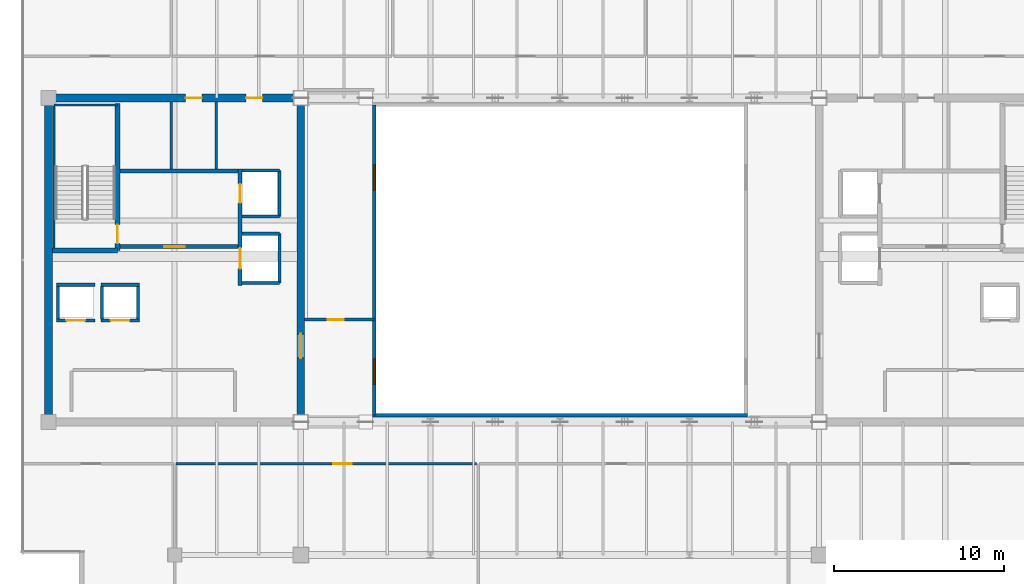
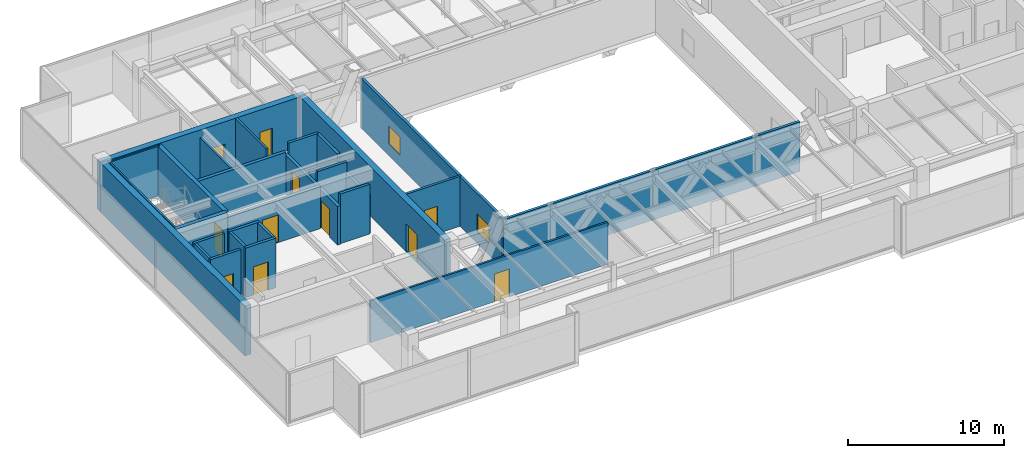
# One storey, part 26 of 32: 29 walls, 11 doors, 2 windows, 13 openings.
"""IFC4 building model written with IfcOpenShell, lengths in metres."""

from ifc_helpers import new_model, si_unit, direction, frame, frame_2d, origin, place, context, subcontext, project, spatial, rectangle, extrude, source, transform, mapped, material, layer, layer_set, type_object, type_shapes, element, fill, save


model = new_model("IFC4")

# Units and contexts
model_context = context("Model", 3, precision=1e-05, world=origin(), true_north=direction((0.0, 1.0)))
body_context = subcontext(model_context, "Body", "Model", "MODEL_VIEW")
ifc_project = project(units=[si_unit("LENGTHUNIT", "METRE"), si_unit("AREAUNIT", "SQUARE_METRE"), si_unit("VOLUMEUNIT", "CUBIC_METRE"), si_unit("PLANEANGLEUNIT", "RADIAN"), si_unit("MASSUNIT", "GRAM", prefix="KILO")], contexts=[model_context])

# Site, building, storey
site_placement = place(None, origin())
site = spatial("IfcSite", under=ifc_project, at=site_placement, CompositionType="ELEMENT")
building_placement = place(site_placement, origin())
building = spatial("IfcBuilding", under=site, at=building_placement, Name="Haelvirn Gate Laboratories", CompositionType="ELEMENT")
storey_placement = place(building_placement, frame((0.0, 0.0, 301.800048828125)))
storey = spatial("IfcBuildingStorey", under=building, at=storey_placement, Name="L72", CompositionType="ELEMENT", Elevation=301.800048828125)

# Wall, opening, door
ifc_material_1 = material(Name="Fire-rated acoustic gypsum board partition", Category="gypsum")
ifc_layer_1 = layer(ifc_material_1, 0.175048828125, Name="IW-ACOUST-180")
ifc_layer_set_1 = layer_set([ifc_layer_1], Name="Fire-rated acoustic gypsum board partition")
wall_type_1 = type_object("IfcWallType", Name="IW-ACOUST-180", PredefinedType="PARTITIONING", material=ifc_layer_set_1)
wall_1_placement = place(storey_placement, frame((22.425048828125, 20.800048828125, 0.0), z_axis=(0.0, 0.0, 1.0), x_axis=(1.0, 0.0, 0.0)))
wall_1 = element("IfcWall", 1, at=wall_1_placement, inside=storey, type_object=wall_type_1, Name="L72 Interior Wall IW-L72-WPOD-S", PredefinedType="PARTITIONING", context=body_context, shape_type="SweptSolid", body=[
    extrude(rectangle(XDim=4.074951171875, YDim=0.175048828125, at=frame_2d((2.03759765625, 0.0))), origin(), (0.0, 0.0, 1.0), 3.89990234375),
])
opening_1_placement = place(wall_1_placement, frame((1.35009765625, 0.0, 0.0)))
opening_1 = element("IfcOpeningElement", 2, at=opening_1_placement, cuts=wall_1, Name="Opening FD4", PredefinedType="OPENING", context=body_context, shape_type="SweptSolid", body=[
    extrude(rectangle(XDim=0.949951171875, YDim=2.14990234375, at=frame_2d((0.47509765625, 1.074951171875))), frame((0.0, 0.09765625, 0.0), z_axis=(0.0, -1.0, 0.0), x_axis=(1.0, 0.0, 0.0)), (0.0, 0.0, 1.0), 0.195068359375),
])
ifc_material_2 = material(Name="Fire-rated steel SM355 core service door", Category="steel")
door_type_1 = type_object("IfcDoorType", Name="DR-FD-950", OperationType="NOTDEFINED", PredefinedType="DOOR", material=ifc_material_2)
shared_shape_1 = source(origin(), body_context, "Body", "SweptSolid", [
    extrude(rectangle(XDim=0.949951171875, YDim=2.14990234375, at=frame_2d((0.47509765625, 1.074951171875))), frame((0.0, 0.02490234375, 0.0), z_axis=(0.0, -1.0, 0.0), x_axis=(1.0, 0.0, 0.0)), (0.0, 0.0, 1.0), 0.050048828125),
])
type_shapes(door_type_1, [shared_shape_1])
door_1_placement = place(opening_1_placement, origin())
door_1 = element("IfcDoor", 3, at=door_1_placement, inside=storey, type_object=door_type_1, Name="L72 High-Zone Computational Suite Door", OperationType="SINGLE_SWING_RIGHT", OverallHeight=2.14990234375, OverallWidth=0.949951171875, PredefinedType="DOOR", context=body_context, shape_type="MappedRepresentation", body=[
    mapped(shared_shape_1, transform((0.0, 0.0, 0.0), scale=1.0)),
])
fill(opening_1, door_1)

# Wall, openings, windows
ifc_material_3 = material(Name="Tempered fire-rated borosilicate glass & anodised aluminium", Category="aluminium")
ifc_layer_2 = layer(ifc_material_3, 0.195068359375, Name="IW-GLAZ-200")
ifc_layer_set_2 = layer_set([ifc_layer_2], Name="Tempered fire-rated borosilicate glass & anodised aluminium")
wall_type_2 = type_object("IfcWallType", Name="IW-GLAZ-200", PredefinedType="SOLIDWALL", material=ifc_layer_set_2)
wall_2_placement = place(storey_placement, frame((26.5, 15.199951171875, 0.0), z_axis=(0.0, 0.0, 1.0), x_axis=(0.0, 1.0, 0.0)))
wall_2 = element("IfcWall", 4, at=wall_2_placement, inside=storey, type_object=wall_type_2, Name="L72 Interior Wall IW-L72-ATRIUM-W", PredefinedType="SOLIDWALL", context=body_context, shape_type="SweptSolid", body=[
    extrude(rectangle(XDim=18.199951171875, YDim=0.195068359375, at=frame_2d((9.10009765625, 0.0))), origin(), (0.0, 0.0, 1.0), 3.89990234375),
])
opening_2_placement = place(wall_2_placement, frame((1.800048828125, 0.0, 0.89990234375)))
opening_2 = element("IfcOpeningElement", 5, at=opening_2_placement, cuts=wall_2, Name="Opening W5", PredefinedType="OPENING", context=body_context, shape_type="SweptSolid", body=[
    extrude(rectangle(XDim=1.5, YDim=1.39990234375, at=frame_2d((0.75, 0.699951171875))), frame((0.0, 0.107421875, 0.0), z_axis=(0.0, -1.0, 0.0), x_axis=(1.0, 0.0, 0.0)), (0.0, 0.0, 1.0), 0.215087890625),
])
opening_3_placement = place(wall_2_placement, frame((13.199951171875, 0.0, 0.89990234375)))
opening_3 = element("IfcOpeningElement", 6, at=opening_3_placement, cuts=wall_2, Name="Opening W5", PredefinedType="OPENING", context=body_context, shape_type="SweptSolid", body=[
    extrude(rectangle(XDim=1.5, YDim=1.39990234375, at=frame_2d((0.75, 0.699951171875))), frame((0.0, 0.107421875, 0.0), z_axis=(0.0, -1.0, 0.0), x_axis=(1.0, 0.0, 0.0)), (0.0, 0.0, 1.0), 0.215087890625),
])
ifc_material_4 = material(Name="Fire-rated EI 120 borosilicate atrium vision glazing", Category="glass")
window_type = type_object("IfcWindowType", Name="WN-ATR-1500", PartitioningType="SINGLE_PANEL", PredefinedType="WINDOW", material=ifc_material_4)
shared_shape_2 = source(origin(), body_context, "Body", "SweptSolid", [
    extrude(rectangle(XDim=1.5, YDim=1.39990234375, at=frame_2d((0.75, 0.699951171875))), frame((0.0, 0.030029296875, 0.0), z_axis=(0.0, -1.0, 0.0), x_axis=(1.0, 0.0, 0.0)), (0.0, 0.0, 1.0), 0.06005859375),
])
type_shapes(window_type, [shared_shape_2])
window_1_placement = place(opening_2_placement, origin())
window_1 = element("IfcWindow", 7, at=window_1_placement, inside=storey, type_object=window_type, Name="L72 Atrium Observation Window 1", OverallHeight=1.39990234375, OverallWidth=1.5, PartitioningType="SINGLE_PANEL", PredefinedType="WINDOW", context=body_context, shape_type="MappedRepresentation", body=[
    mapped(shared_shape_2, transform((0.0, 0.0, 0.0), scale=1.0)),
])
fill(opening_2, window_1)
window_2_placement = place(opening_3_placement, origin())
window_2 = element("IfcWindow", 8, at=window_2_placement, inside=storey, type_object=window_type, Name="L72 Atrium Observation Window 2", OverallHeight=1.39990234375, OverallWidth=1.5, PartitioningType="SINGLE_PANEL", PredefinedType="WINDOW", context=body_context, shape_type="MappedRepresentation", body=[
    mapped(shared_shape_2, transform((0.0, 0.0, 0.0), scale=1.0)),
])
fill(opening_3, window_2)

# Wall
wall_3_placement = place(storey_placement, frame((26.39990234375, 15.199951171875, 0.0), z_axis=(0.0, 0.0, 1.0), x_axis=(1.0, 0.0, 0.0)))
element("IfcWall", 9, at=wall_3_placement, inside=storey, type_object=wall_type_2, Name="L72 Interior Wall IW-L72-ATRIUM-S", PredefinedType="SOLIDWALL", context=body_context, shape_type="SweptSolid", body=[
    extrude(rectangle(XDim=22.0, YDim=0.195068359375, at=frame_2d((11.0, 0.0))), origin(), (0.0, 0.0, 1.0), 3.89990234375),
])

# Wall, opening, door
ifc_material_5 = material(Name="Acoustic mineral-wool gypsum board partition", Category="gypsum")
ifc_layer_3 = layer(ifc_material_5, 0.139892578125, Name="IW-PART-140")
ifc_layer_set_3 = layer_set([ifc_layer_3], Name="Acoustic mineral-wool gypsum board partition")
wall_type_3 = type_object("IfcWallType", Name="IW-PART-140", PredefinedType="PARTITIONING", material=ifc_layer_set_3)
wall_4_placement = place(storey_placement, frame((14.8798828125, 12.340087890625, 0.0), z_axis=(0.0, 0.0, 1.0), x_axis=(1.0, 0.0, 0.0)))
wall_4 = element("IfcWall", 10, at=wall_4_placement, inside=storey, type_object=wall_type_3, Name="L72 Interior Wall IW-L72-SCORR-02", PredefinedType="PARTITIONING", context=body_context, shape_type="SweptSolid", body=[
    extrude(rectangle(XDim=17.64013671875, YDim=0.139892578125, at=frame_2d((8.820068359375, 0.0))), origin(), (0.0, 0.0, 1.0), 3.296875),
])
opening_4_placement = place(wall_4_placement, frame((9.220458984375, 0.0, 0.0)))
opening_4 = element("IfcOpeningElement", 11, at=opening_4_placement, cuts=wall_4, Name="Opening D1", PredefinedType="OPENING", context=body_context, shape_type="SweptSolid", body=[
    extrude(rectangle(XDim=1.10009765625, YDim=2.179931640625, at=frame_2d((0.550048828125, 1.08984375))), frame((0.0, 0.080078125, 0.0), z_axis=(0.0, -1.0, 0.0), x_axis=(1.0, 0.0, 0.0)), (0.0, 0.0, 1.0), 0.159912109375),
])
ifc_material_6 = material(Name="Vision-panel acoustic solid-core timber lab door", Category="wood")
door_type_2 = type_object("IfcDoorType", Name="DR-LAB-1100", OperationType="NOTDEFINED", PredefinedType="DOOR", material=ifc_material_6)
shared_shape_3 = source(origin(), body_context, "Body", "SweptSolid", [
    extrude(rectangle(XDim=1.10009765625, YDim=2.179931640625, at=frame_2d((0.550048828125, 1.08984375))), frame((0.0, 0.02490234375, 0.0), z_axis=(0.0, -1.0, 0.0), x_axis=(1.0, 0.0, 0.0)), (0.0, 0.0, 1.0), 0.050048828125),
])
type_shapes(door_type_2, [shared_shape_3])
door_2_placement = place(opening_4_placement, origin())
door_2 = element("IfcDoor", 12, at=door_2_placement, inside=storey, type_object=door_type_2, Name="L72 Computational Write-Up Office Door S2", OperationType="SINGLE_SWING_RIGHT", OverallHeight=2.179931640625, OverallWidth=1.10009765625, PredefinedType="DOOR", context=body_context, shape_type="MappedRepresentation", body=[
    mapped(shared_shape_3, transform((0.0, 0.0, 0.0), scale=1.0)),
])
fill(opening_4, door_2)

# Walls
ifc_material_7 = material(Name="Cement-board restroom plumbing chase wall", Category="gypsum")
ifc_layer_4 = layer(ifc_material_7, 0.155029296875, Name="IW-PLUMB-160")
ifc_layer_set_4 = layer_set([ifc_layer_4], Name="Cement-board restroom plumbing chase wall")
wall_type_4 = type_object("IfcWallType", Name="IW-PLUMB-160", PredefinedType="PLUMBINGWALL", material=ifc_layer_set_4)
wall_5_placement = place(storey_placement, frame((14.610107421875, 29.64990234375, 0.0), z_axis=(0.0, 0.0, 1.0), x_axis=(0.0, 1.0, 0.0)))
element("IfcWall", 13, at=wall_5_placement, inside=storey, type_object=wall_type_4, Name="L72 Interior Wall IW-L72-W-CDIV-0", PredefinedType="PLUMBINGWALL", context=body_context, shape_type="SweptSolid", body=[
    extrude(rectangle(XDim=3.93017578125, YDim=0.155029296875, at=frame_2d((1.965087890625, 0.0))), origin(), (0.0, 0.0, 1.0), 3.296875),
])
wall_6_placement = place(storey_placement, frame((17.239990234375, 29.64990234375, 0.0), z_axis=(0.0, 0.0, 1.0), x_axis=(0.0, 1.0, 0.0)))
element("IfcWall", 14, at=wall_6_placement, inside=storey, type_object=wall_type_4, Name="L72 Interior Wall IW-L72-W-CDIV-1", PredefinedType="PLUMBINGWALL", context=body_context, shape_type="SweptSolid", body=[
    extrude(rectangle(XDim=3.93017578125, YDim=0.155029296875, at=frame_2d((1.965087890625, 0.0))), origin(), (0.0, 0.0, 1.0), 3.89990234375),
])
ifc_material_8 = material(Name="Concrete C40/50", Category="concrete")
ifc_layer_5 = layer(ifc_material_8, 0.179931640625, Name="IW-SHAFT-180")
ifc_layer_set_5 = layer_set([ifc_layer_5], Name="Concrete C40/50")
wall_type_5 = type_object("IfcWallType", Name="IW-SHAFT-180", PredefinedType="SOLIDWALL", material=ifc_layer_set_5)
for number, where, z_axis, x_axis, name in (
    (15, (7.949951171875, 20.85009765625, 0.0), (0.0, 0.0, 1.0), (0.0, 1.0, 0.0), "L72 Interior Wall IW-L72-PL9-SD"),
    (16, (10.550048828125, 20.85009765625, 0.0), (0.0, 0.0, 1.0), (0.0, 1.0, 0.0), "L72 Interior Wall IW-L72-PL10-SD"),
    (17, (12.64990234375, 20.85009765625, 0.0), (0.0, 0.0, 1.0), (0.0, 1.0, 0.0), "L72 Interior Wall IW-L72-PL10-SDE"),
):
    element("IfcWall", number, at=place(storey_placement, frame(where, z_axis=z_axis, x_axis=x_axis)), inside=storey, type_object=wall_type_5, Name=name, PredefinedType="SOLIDWALL", context=body_context, shape_type="SweptSolid", body=[
        extrude(rectangle(XDim=1.89990234375, YDim=0.179931640625, at=frame_2d((0.949951171875, 0.0))), origin(), (0.0, 0.0, 1.0), 3.89990234375),
    ])

# Wall, opening, door
ifc_layer_6 = layer(ifc_material_8, 0.199951171875, Name="IW-SHAFT-200")
ifc_layer_set_6 = layer_set([ifc_layer_6], Name="Concrete C40/50")
wall_type_6 = type_object("IfcWallType", Name="IW-SHAFT-200", PredefinedType="SOLIDWALL", material=ifc_layer_set_6)
wall_7_placement = place(storey_placement, frame((7.8701171875, 20.75, 0.0), z_axis=(0.0, 0.0, 1.0), x_axis=(1.0, 0.0, 0.0)))
wall_7 = element("IfcWall", 18, at=wall_7_placement, inside=storey, type_object=wall_type_6, Name="L72 Interior Wall IW-L72-PL9-FR", PredefinedType="SOLIDWALL", context=body_context, shape_type="SweptSolid", body=[
    extrude(rectangle(XDim=2.259765625, YDim=0.199951171875, at=frame_2d((1.1298828125, 0.0))), origin(), (0.0, 0.0, 1.0), 3.89990234375),
])
opening_5_placement = place(wall_7_placement, frame((0.580078125, 0.0, 0.0)))
opening_5 = element("IfcOpeningElement", 19, at=opening_5_placement, cuts=wall_7, Name="Opening LD2", PredefinedType="OPENING", context=body_context, shape_type="SweptSolid", body=[
    extrude(rectangle(XDim=1.10009765625, YDim=2.219970703125, at=frame_2d((0.550048828125, 1.10986328125))), frame((0.0, 0.10986328125, 0.0), z_axis=(0.0, -1.0, 0.0), x_axis=(1.0, 0.0, 0.0)), (0.0, 0.0, 1.0), 0.219970703125),
])
ifc_material_9 = material(Name="Bronze stainless 316L sliding lift landing door")
door_type_3 = type_object("IfcDoorType", Name="DR-LD-1100", OperationType="NOTDEFINED", PredefinedType="USERDEFINED", material=ifc_material_9)
shared_shape_4 = source(origin(), body_context, "Body", "SweptSolid", [
    extrude(rectangle(XDim=1.10009765625, YDim=2.219970703125, at=frame_2d((0.550048828125, 1.10986328125))), frame((0.0, 0.02490234375, 0.0), z_axis=(0.0, -1.0, 0.0), x_axis=(1.0, 0.0, 0.0)), (0.0, 0.0, 1.0), 0.050048828125),
])
type_shapes(door_type_3, [shared_shape_4])
door_3_placement = place(opening_5_placement, origin())
door_3 = element("IfcDoor", 20, at=door_3_placement, inside=storey, type_object=door_type_3, Name="L72 Passenger Lift PL9 Landing Door", ObjectType="LANDING_DOOR", OperationType="SLIDING_TO_LEFT", OverallHeight=2.219970703125, OverallWidth=1.10009765625, PredefinedType="USERDEFINED", context=body_context, shape_type="MappedRepresentation", body=[
    mapped(shared_shape_4, transform((0.0, 0.0, 0.0), scale=1.0)),
])
fill(opening_5, door_3)

# Wall
wall_8_placement = place(storey_placement, frame((7.8701171875, 22.85009765625, 0.0), z_axis=(0.0, 0.0, 1.0), x_axis=(1.0, 0.0, 0.0)))
element("IfcWall", 21, at=wall_8_placement, inside=storey, type_object=wall_type_6, Name="L72 Interior Wall IW-L72-PL9-BK", PredefinedType="SOLIDWALL", context=body_context, shape_type="SweptSolid", body=[
    extrude(rectangle(XDim=2.259765625, YDim=0.199951171875, at=frame_2d((1.1298828125, 0.0))), origin(), (0.0, 0.0, 1.0), 3.89990234375),
])

# Wall, opening, door
wall_9_placement = place(storey_placement, frame((10.469970703125, 20.75, 0.0), z_axis=(0.0, 0.0, 1.0), x_axis=(1.0, 0.0, 0.0)))
wall_9 = element("IfcWall", 22, at=wall_9_placement, inside=storey, type_object=wall_type_6, Name="L72 Interior Wall IW-L72-PL10-FR", PredefinedType="SOLIDWALL", context=body_context, shape_type="SweptSolid", body=[
    extrude(rectangle(XDim=2.260009765625, YDim=0.199951171875, at=frame_2d((1.1298828125, 0.0))), origin(), (0.0, 0.0, 1.0), 3.89990234375),
])
opening_6_placement = place(wall_9_placement, frame((0.580078125, 0.0, 0.0)))
opening_6 = element("IfcOpeningElement", 23, at=opening_6_placement, cuts=wall_9, Name="Opening LD2", PredefinedType="OPENING", context=body_context, shape_type="SweptSolid", body=[
    extrude(rectangle(XDim=1.10009765625, YDim=2.219970703125, at=frame_2d((0.550048828125, 1.10986328125))), frame((0.0, 0.10986328125, 0.0), z_axis=(0.0, -1.0, 0.0), x_axis=(1.0, 0.0, 0.0)), (0.0, 0.0, 1.0), 0.219970703125),
])
door_4_placement = place(opening_6_placement, origin())
door_4 = element("IfcDoor", 24, at=door_4_placement, inside=storey, type_object=door_type_3, Name="L72 Passenger Lift PL10 Landing Door", ObjectType="LANDING_DOOR", OperationType="SLIDING_TO_RIGHT", OverallHeight=2.219970703125, OverallWidth=1.10009765625, PredefinedType="USERDEFINED", context=body_context, shape_type="MappedRepresentation", body=[
    mapped(shared_shape_4, transform((0.0, 0.0, 0.0), scale=1.0)),
])
fill(opening_6, door_4)

# Walls
wall_10_placement = place(storey_placement, frame((10.469970703125, 22.85009765625, 0.0), z_axis=(0.0, 0.0, 1.0), x_axis=(1.0, 0.0, 0.0)))
element("IfcWall", 25, at=wall_10_placement, inside=storey, type_object=wall_type_6, Name="L72 Interior Wall IW-L72-PL10-BK", PredefinedType="SOLIDWALL", context=body_context, shape_type="SweptSolid", body=[
    extrude(rectangle(XDim=2.260009765625, YDim=0.199951171875, at=frame_2d((1.1298828125, 0.0))), origin(), (0.0, 0.0, 1.0), 3.89990234375),
])
wall_11_placement = place(storey_placement, frame((20.949951171875, 26.85009765625, 0.0), z_axis=(0.0, 0.0, 1.0), x_axis=(0.0, 1.0, 0.0)))
element("IfcWall", 26, at=wall_11_placement, inside=storey, type_object=wall_type_6, Name="L72 Interior Wall IW-L72-FL1-BK", PredefinedType="SOLIDWALL", context=body_context, shape_type="SweptSolid", body=[
    extrude(rectangle(XDim=2.699951171875, YDim=0.199951171875, at=frame_2d((1.35009765625, 0.0))), origin(), (0.0, 0.0, 1.0), 3.89990234375),
])
wall_12_placement = place(storey_placement, frame((18.760009765625, 29.550048828125, 0.0), z_axis=(0.0, 0.0, 1.0), x_axis=(1.0, 0.0, 0.0)))
element("IfcWall", 27, at=wall_12_placement, inside=storey, type_object=wall_type_6, Name="L72 Interior Wall IW-L72-FL1-N", PredefinedType="SOLIDWALL", context=body_context, shape_type="SweptSolid", body=[
    extrude(rectangle(XDim=2.18994140625, YDim=0.199951171875, at=frame_2d((1.094970703125, 0.0))), origin(), (0.0, 0.0, 1.0), 3.89990234375),
])
wall_13_placement = place(storey_placement, frame((18.760009765625, 26.85009765625, 0.0), z_axis=(0.0, 0.0, 1.0), x_axis=(1.0, 0.0, 0.0)))
element("IfcWall", 28, at=wall_13_placement, inside=storey, type_object=wall_type_6, Name="L72 Interior Wall IW-L72-FL1-S", PredefinedType="SOLIDWALL", context=body_context, shape_type="SweptSolid", body=[
    extrude(rectangle(XDim=2.18994140625, YDim=0.199951171875, at=frame_2d((1.094970703125, 0.0))), origin(), (0.0, 0.0, 1.0), 3.296875),
])
wall_14_placement = place(storey_placement, frame((20.949951171875, 22.949951171875, 0.0), z_axis=(0.0, 0.0, 1.0), x_axis=(0.0, 1.0, 0.0)))
element("IfcWall", 29, at=wall_14_placement, inside=storey, type_object=wall_type_6, Name="L72 Interior Wall IW-L72-SL1-BK", PredefinedType="SOLIDWALL", context=body_context, shape_type="SweptSolid", body=[
    extrude(rectangle(XDim=2.900146484375, YDim=0.199951171875, at=frame_2d((1.4501953125, 0.0))), origin(), (0.0, 0.0, 1.0), 3.034912109375),
])
for number, where, z_axis, x_axis, name in (
    (30, (18.760009765625, 25.85009765625, 0.0), (0.0, 0.0, 1.0), (1.0, 0.0, 0.0), "L72 Interior Wall IW-L72-SL1-N"),
    (31, (18.760009765625, 22.949951171875, 0.0), (0.0, 0.0, 1.0), (1.0, 0.0, 0.0), "L72 Interior Wall IW-L72-SL1-S"),
):
    element("IfcWall", number, at=place(storey_placement, frame(where, z_axis=z_axis, x_axis=x_axis)), inside=storey, type_object=wall_type_6, Name=name, PredefinedType="SOLIDWALL", context=body_context, shape_type="SweptSolid", body=[
        extrude(rectangle(XDim=2.18994140625, YDim=0.199951171875, at=frame_2d((1.094970703125, 0.0))), origin(), (0.0, 0.0, 1.0), 3.89990234375),
    ])

# Wall, opening, door
ifc_layer_7 = layer(ifc_material_8, 0.239990234375, Name="IW-SHAFT-240")
ifc_layer_set_7 = layer_set([ifc_layer_7], Name="Concrete C40/50")
wall_type_7 = type_object("IfcWallType", Name="IW-SHAFT-240", PredefinedType="SOLIDWALL", material=ifc_layer_set_7)
wall_15_placement = place(storey_placement, frame((11.60009765625, 25.080078125, 0.0), z_axis=(0.0, 0.0, 1.0), x_axis=(1.0, 0.0, 0.0)))
wall_15 = element("IfcWall", 32, at=wall_15_placement, inside=storey, type_object=wall_type_7, Name="L72 Interior Wall IW-L72-W-FF-S", PredefinedType="SOLIDWALL", context=body_context, shape_type="SweptSolid", body=[
    extrude(rectangle(XDim=6.919921875, YDim=0.239990234375, at=frame_2d((3.4599609375, 0.0))), origin(), (0.0, 0.0, 1.0), 3.296875),
])
opening_7_placement = place(wall_15_placement, frame((2.60009765625, 0.0, 0.0)))
opening_7 = element("IfcOpeningElement", 33, at=opening_7_placement, cuts=wall_15, Name="Opening FD2", PredefinedType="OPENING", context=body_context, shape_type="SweptSolid", body=[
    extrude(rectangle(XDim=1.199951171875, YDim=2.159912109375, at=frame_2d((0.60009765625, 1.080078125))), frame((0.0, 0.1298828125, 0.0), z_axis=(0.0, -1.0, 0.0), x_axis=(1.0, 0.0, 0.0)), (0.0, 0.0, 1.0), 0.260009765625),
])
ifc_material_10 = material(Name="Fire-rated steel SM355 compartment door", Category="steel")
door_type_4 = type_object("IfcDoorType", Name="DR-FD-1200", OperationType="NOTDEFINED", PredefinedType="DOOR", material=ifc_material_10)
shared_shape_5 = source(origin(), body_context, "Body", "SweptSolid", [
    extrude(rectangle(XDim=1.199951171875, YDim=2.159912109375, at=frame_2d((0.60009765625, 1.080078125))), frame((0.0, 0.02490234375, 0.0), z_axis=(0.0, -1.0, 0.0), x_axis=(1.0, 0.0, 0.0)), (0.0, 0.0, 1.0), 0.050048828125),
])
type_shapes(door_type_4, [shared_shape_5])
door_5_placement = place(opening_7_placement, origin())
door_5 = element("IfcDoor", 34, at=door_5_placement, inside=storey, type_object=door_type_4, Name="L72 West Firefighting Lobby Door", OperationType="SINGLE_SWING_RIGHT", OverallHeight=2.159912109375, OverallWidth=1.199951171875, PredefinedType="DOOR", context=body_context, shape_type="MappedRepresentation", body=[
    mapped(shared_shape_5, transform((0.0, 0.0, 0.0), scale=1.0)),
])
fill(opening_7, door_5)

# Wall
wall_16_placement = place(storey_placement, frame((11.60009765625, 29.52001953125, 0.0), z_axis=(0.0, 0.0, 1.0), x_axis=(1.0, 0.0, 0.0)))
element("IfcWall", 35, at=wall_16_placement, inside=storey, type_object=wall_type_7, Name="L72 Interior Wall IW-L72-W-FF-N", PredefinedType="SOLIDWALL", context=body_context, shape_type="SweptSolid", body=[
    extrude(rectangle(XDim=6.919921875, YDim=0.239990234375, at=frame_2d((3.4599609375, 0.0))), origin(), (0.0, 0.0, 1.0), 3.296875),
])

# Wall, openings, doors
wall_17_placement = place(storey_placement, frame((18.639892578125, 22.800048828125, 0.0), z_axis=(0.0, 0.0, 1.0), x_axis=(0.0, 1.0, 0.0)))
wall_17 = element("IfcWall", 36, at=wall_17_placement, inside=storey, type_object=wall_type_7, Name="L72 Interior Wall IW-L72-W-FF-E", PredefinedType="SOLIDWALL", context=body_context, shape_type="SweptSolid", body=[
    extrude(rectangle(XDim=6.849853515625, YDim=0.239990234375, at=frame_2d((3.4248046875, 0.0))), origin(), (0.0, 0.0, 1.0), 3.034912109375),
])
opening_8_placement = place(wall_17_placement, frame((4.85009765625, 0.0, 0.0)))
opening_8 = element("IfcOpeningElement", 37, at=opening_8_placement, cuts=wall_17, Name="Opening LD2", PredefinedType="OPENING", context=body_context, shape_type="SweptSolid", body=[
    extrude(rectangle(XDim=1.10009765625, YDim=2.219970703125, at=frame_2d((0.550048828125, 1.10986328125))), frame((0.0, 0.1298828125, 0.0), z_axis=(0.0, -1.0, 0.0), x_axis=(1.0, 0.0, 0.0)), (0.0, 0.0, 1.0), 0.260009765625),
])
opening_9_placement = place(wall_17_placement, frame((1.0, 0.0, 0.0)))
opening_9 = element("IfcOpeningElement", 38, at=opening_9_placement, cuts=wall_17, Name="Opening LD1", PredefinedType="OPENING", context=body_context, shape_type="SweptSolid", body=[
    extrude(rectangle(XDim=1.199951171875, YDim=2.219970703125, at=frame_2d((0.60009765625, 1.10986328125))), frame((0.0, 0.1298828125, 0.0), z_axis=(0.0, -1.0, 0.0), x_axis=(1.0, 0.0, 0.0)), (0.0, 0.0, 1.0), 0.260009765625),
])
door_6_placement = place(opening_8_placement, origin())
door_6 = element("IfcDoor", 39, at=door_6_placement, inside=storey, type_object=door_type_3, Name="L72 Firefighting Lift FL1 Landing Door", ObjectType="LANDING_DOOR", OperationType="SLIDING_TO_LEFT", OverallHeight=2.219970703125, OverallWidth=1.10009765625, PredefinedType="USERDEFINED", context=body_context, shape_type="MappedRepresentation", body=[
    mapped(shared_shape_4, transform((0.0, 0.0, 0.0), scale=1.0)),
])
fill(opening_8, door_6)
ifc_material_11 = material(Name="Stainless steel 316L sliding goods landing door", Category="steel")
door_type_5 = type_object("IfcDoorType", Name="DR-LD-1200", OperationType="NOTDEFINED", PredefinedType="USERDEFINED", material=ifc_material_11)
shared_shape_6 = source(origin(), body_context, "Body", "SweptSolid", [
    extrude(rectangle(XDim=1.199951171875, YDim=2.219970703125, at=frame_2d((0.60009765625, 1.10986328125))), frame((0.0, 0.02490234375, 0.0), z_axis=(0.0, -1.0, 0.0), x_axis=(1.0, 0.0, 0.0)), (0.0, 0.0, 1.0), 0.050048828125),
])
type_shapes(door_type_5, [shared_shape_6])
door_7_placement = place(opening_9_placement, origin())
door_7 = element("IfcDoor", 40, at=door_7_placement, inside=storey, type_object=door_type_5, Name="L72 Service Lift SL1 Landing Door", ObjectType="LANDING_DOOR", OperationType="SLIDING_TO_RIGHT", OverallHeight=2.219970703125, OverallWidth=1.199951171875, PredefinedType="USERDEFINED", context=body_context, shape_type="MappedRepresentation", body=[
    mapped(shared_shape_6, transform((0.0, 0.0, 0.0), scale=1.0)),
])
fill(opening_9, door_7)

ifc_material_12 = material(Name="Concrete C50/60", Category="concrete")
ifc_layer_8 = layer(ifc_material_12, 0.449951171875, Name="SW-CORE-450")
ifc_layer_set_8 = layer_set([ifc_layer_8], Name="Concrete C50/60")
wall_type_8 = type_object("IfcWallType", Name="SW-CORE-450", PredefinedType="SHEAR", material=ifc_layer_set_8)
wall_18_placement = place(storey_placement, frame((7.175048828125, 33.800048828125, 0.0), z_axis=(0.0, 0.0, 1.0), x_axis=(1.0, 0.0, 0.0)))
wall_18 = element("IfcWall", 41, at=wall_18_placement, inside=storey, type_object=wall_type_8, Name="L72 W Core Shear Wall N", PredefinedType="SHEAR", context=body_context, shape_type="SweptSolid", body=[
    extrude(rectangle(XDim=15.25, YDim=0.449951171875, at=frame_2d((7.625, 0.0))), origin(), (0.0, 0.0, 1.0), 3.89990234375),
])
opening_10_placement = place(wall_18_placement, frame((8.27490234375, 0.0, 0.0)))
opening_10 = element("IfcOpeningElement", 42, at=opening_10_placement, cuts=wall_18, Name="Opening FD4", PredefinedType="OPENING", context=body_context, shape_type="SweptSolid", body=[
    extrude(rectangle(XDim=0.949951171875, YDim=2.14990234375, at=frame_2d((0.47509765625, 1.074951171875))), frame((0.0, 0.23486328125, 0.0), z_axis=(0.0, -1.0, 0.0), x_axis=(1.0, 0.0, 0.0)), (0.0, 0.0, 1.0), 0.469970703125),
])
opening_11_placement = place(wall_18_placement, frame((11.81494140625, 0.0, 0.0)))
opening_11 = element("IfcOpeningElement", 43, at=opening_11_placement, cuts=wall_18, Name="Opening FD4", PredefinedType="OPENING", context=body_context, shape_type="SweptSolid", body=[
    extrude(rectangle(XDim=0.949951171875, YDim=2.14990234375, at=frame_2d((0.47509765625, 1.074951171875))), frame((0.0, 0.23486328125, 0.0), z_axis=(0.0, -1.0, 0.0), x_axis=(1.0, 0.0, 0.0)), (0.0, 0.0, 1.0), 0.469970703125),
])
door_8_placement = place(opening_10_placement, origin())
door_8 = element("IfcDoor", 44, at=door_8_placement, inside=storey, type_object=door_type_1, Name="L72 Accessible Restroom Fire Door", OperationType="SINGLE_SWING_LEFT", OverallHeight=2.14990234375, OverallWidth=0.949951171875, PredefinedType="DOOR", context=body_context, shape_type="MappedRepresentation", body=[
    mapped(shared_shape_1, transform((0.0, 0.0, 0.0), scale=1.0)),
])
fill(opening_10, door_8)
door_9_placement = place(opening_11_placement, origin())
door_9 = element("IfcDoor", 45, at=door_9_placement, inside=storey, type_object=door_type_1, Name="L72 Staff Restroom Fire Door", OperationType="SINGLE_SWING_RIGHT", OverallHeight=2.14990234375, OverallWidth=0.949951171875, PredefinedType="DOOR", context=body_context, shape_type="MappedRepresentation", body=[
    mapped(shared_shape_1, transform((0.0, 0.0, 0.0), scale=1.0)),
])
fill(opening_11, door_9)

# Wall
wall_19_placement = place(storey_placement, frame((7.39990234375, 15.02490234375, 0.0), z_axis=(0.0, 0.0, 1.0), x_axis=(0.0, 1.0, 0.0)))
element("IfcWall", 46, at=wall_19_placement, inside=storey, type_object=wall_type_8, Name="L72 W Core Shear Wall W", PredefinedType="SHEAR", context=body_context, shape_type="SweptSolid", body=[
    extrude(rectangle(XDim=18.550048828125, YDim=0.449951171875, at=frame_2d((9.27490234375, 0.0))), origin(), (0.0, 0.0, 1.0), 3.89990234375),
])

# Wall, opening, door
wall_20_placement = place(storey_placement, frame((22.199951171875, 15.02490234375, 0.0), z_axis=(0.0, 0.0, 1.0), x_axis=(0.0, 1.0, 0.0)))
wall_20 = element("IfcWall", 47, at=wall_20_placement, inside=storey, type_object=wall_type_8, Name="L72 W Core Shear Wall E", PredefinedType="SHEAR", context=body_context, shape_type="SweptSolid", body=[
    extrude(rectangle(XDim=18.550048828125, YDim=0.449951171875, at=frame_2d((9.27490234375, 0.0))), origin(), (0.0, 0.0, 1.0), 3.89990234375),
])
opening_12_placement = place(wall_20_placement, frame((3.52490234375, 0.0, 0.0)))
opening_12 = element("IfcOpeningElement", 48, at=opening_12_placement, cuts=wall_20, Name="Opening FD1", PredefinedType="OPENING", context=body_context, shape_type="SweptSolid", body=[
    extrude(rectangle(XDim=1.419921875, YDim=2.199951171875, at=frame_2d((0.7099609375, 1.10009765625))), frame((0.0, 0.23486328125, 0.0), z_axis=(0.0, -1.0, 0.0), x_axis=(1.0, 0.0, 0.0)), (0.0, 0.0, 1.0), 0.469970703125),
])
ifc_material_13 = material(Name="Fire-rated double steel SM355 lobby door", Category="steel")
door_type_6 = type_object("IfcDoorType", Name="DR-FD-1400", OperationType="NOTDEFINED", PredefinedType="DOOR", material=ifc_material_13)
shared_shape_7 = source(origin(), body_context, "Body", "SweptSolid", [
    extrude(rectangle(XDim=1.419921875, YDim=2.199951171875, at=frame_2d((0.7099609375, 1.10009765625))), frame((0.0, 0.02490234375, 0.0), z_axis=(0.0, -1.0, 0.0), x_axis=(1.0, 0.0, 0.0)), (0.0, 0.0, 1.0), 0.050048828125),
])
type_shapes(door_type_6, [shared_shape_7])
door_10_placement = place(opening_12_placement, origin())
door_10 = element("IfcDoor", 49, at=door_10_placement, inside=storey, type_object=door_type_6, Name="L72 West Core Lift Lobby Fire Door", OperationType="DOUBLE_DOOR_SINGLE_SWING", OverallHeight=2.199951171875, OverallWidth=1.419921875, PredefinedType="DOOR", context=body_context, shape_type="MappedRepresentation", body=[
    mapped(shared_shape_7, transform((0.0, 0.0, 0.0), scale=1.0)),
])
fill(opening_12, door_10)

# Walls
ifc_layer_9 = layer(ifc_material_12, 0.1201171875, Name="SW-LINER-120")
ifc_layer_set_9 = layer_set([ifc_layer_9], Name="Concrete C50/60")
wall_type_9 = type_object("IfcWallType", Name="SW-LINER-120", PredefinedType="SOLIDWALL", material=ifc_layer_set_9)
wall_21_placement = place(storey_placement, frame((7.72998046875, 33.39990234375, 0.0), z_axis=(0.0, 0.0, 1.0), x_axis=(1.0, 0.0, 0.0)))
element("IfcWall", 50, at=wall_21_placement, inside=storey, type_object=wall_type_9, Name="L72 W Core Stair Shaft Liner Wall N", PredefinedType="SOLIDWALL", context=body_context, shape_type="SweptSolid", body=[
    extrude(rectangle(XDim=3.719970703125, YDim=0.1201171875, at=frame_2d((1.85986328125, 0.0))), origin(), (0.0, 0.0, 1.0), 3.89990234375),
])
wall_22_placement = place(storey_placement, frame((7.72998046875, 25.0, 0.0), z_axis=(0.0, 0.0, 1.0), x_axis=(0.0, 1.0, 0.0)))
element("IfcWall", 51, at=wall_22_placement, inside=storey, type_object=wall_type_9, Name="L72 W Core Stair Shaft Liner Wall OUT", PredefinedType="SOLIDWALL", context=body_context, shape_type="SweptSolid", body=[
    extrude(rectangle(XDim=8.320068359375, YDim=0.1201171875, at=frame_2d((4.16015625, 0.0))), origin(), (0.0, 0.0, 1.0), 3.89990234375),
])

# Wall, opening, door
ifc_layer_10 = layer(ifc_material_12, 0.300048828125, Name="SW-STAIR-300")
ifc_layer_set_10 = layer_set([ifc_layer_10], Name="Concrete C50/60")
wall_type_10 = type_object("IfcWallType", Name="SW-STAIR-300", PredefinedType="SHEAR", material=ifc_layer_set_10)
wall_23_placement = place(storey_placement, frame((11.449951171875, 24.85009765625, 0.0), z_axis=(0.0, 0.0, 1.0), x_axis=(0.0, 1.0, 0.0)))
wall_23 = element("IfcWall", 52, at=wall_23_placement, inside=storey, type_object=wall_type_10, Name="L72 W Core Stair Shaft Structural Wall IN", PredefinedType="SHEAR", context=body_context, shape_type="SweptSolid", body=[
    extrude(rectangle(XDim=8.6298828125, YDim=0.300048828125, at=frame_2d((4.31494140625, 0.0))), origin(), (0.0, 0.0, 1.0), 3.89990234375),
])
opening_13_placement = place(wall_23_placement, frame((0.419921875, 0.0, 0.0)))
opening_13 = element("IfcOpeningElement", 53, at=opening_13_placement, cuts=wall_23, Name="Opening FD3", PredefinedType="OPENING", context=body_context, shape_type="SweptSolid", body=[
    extrude(rectangle(XDim=1.10009765625, YDim=2.14990234375, at=frame_2d((0.550048828125, 1.074951171875))), frame((0.0, 0.16015625, 0.0), z_axis=(0.0, -1.0, 0.0), x_axis=(1.0, 0.0, 0.0)), (0.0, 0.0, 1.0), 0.320068359375),
])
ifc_material_14 = material(Name="Fire-rated steel SM355 escape stair door", Category="steel")
door_type_7 = type_object("IfcDoorType", Name="DR-FD-1100", OperationType="NOTDEFINED", PredefinedType="DOOR", material=ifc_material_14)
shared_shape_8 = source(origin(), body_context, "Body", "SweptSolid", [
    extrude(rectangle(XDim=1.10009765625, YDim=2.14990234375, at=frame_2d((0.550048828125, 1.074951171875))), frame((0.0, 0.02490234375, 0.0), z_axis=(0.0, -1.0, 0.0), x_axis=(1.0, 0.0, 0.0)), (0.0, 0.0, 1.0), 0.050048828125),
])
type_shapes(door_type_7, [shared_shape_8])
door_11_placement = place(opening_13_placement, origin())
door_11 = element("IfcDoor", 54, at=door_11_placement, inside=storey, type_object=door_type_7, Name="L72 Escape Stair ST1 Fire Door", OperationType="SINGLE_SWING_LEFT", OverallHeight=2.14990234375, OverallWidth=1.10009765625, PredefinedType="DOOR", context=body_context, shape_type="MappedRepresentation", body=[
    mapped(shared_shape_8, transform((0.0, 0.0, 0.0), scale=1.0)),
])
fill(opening_13, door_11)

# Wall
wall_24_placement = place(storey_placement, frame((7.64990234375, 24.85009765625, 0.0), z_axis=(0.0, 0.0, 1.0), x_axis=(1.0, 0.0, 0.0)))
element("IfcWall", 55, at=wall_24_placement, inside=storey, type_object=wall_type_10, Name="L72 W Core Stair Shaft Structural Wall S", PredefinedType="SHEAR", context=body_context, shape_type="SweptSolid", body=[
    extrude(rectangle(XDim=3.800048828125, YDim=0.300048828125, at=frame_2d((1.89990234375, 0.0))), origin(), (0.0, 0.0, 1.0), 3.89990234375),
])

save(model, "model.ifc")
